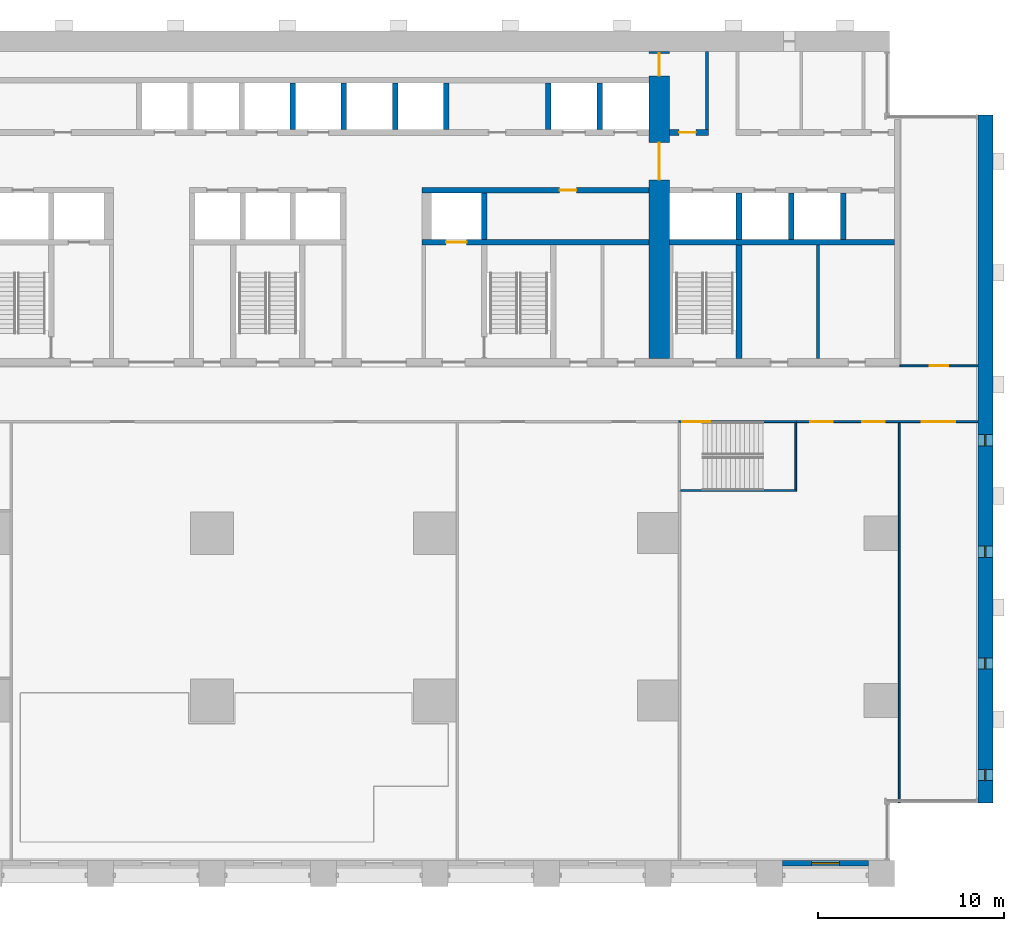
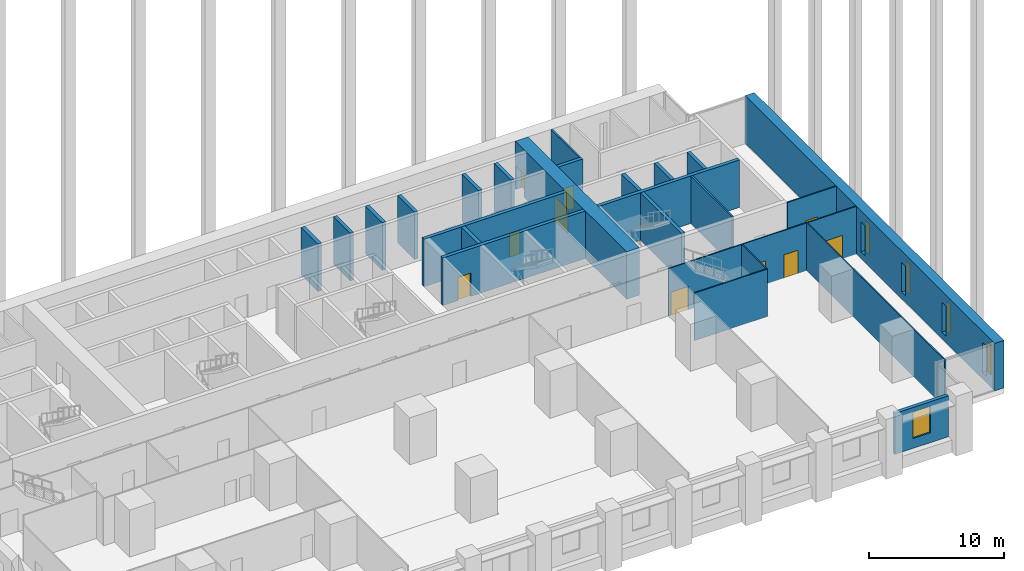
# One storey, part 12 of 17: 26 walls, 10 doors, 5 windows, 15 openings.
"""IFC4 building model written with IfcOpenShell, lengths in metres."""

from ifc_helpers import new_model, si_unit, direction, frame, frame_2d, origin, place, context, subcontext, project, spatial, rectangle, extrude, material, layer, layer_set, type_object, element, fill, save


model = new_model("IFC4")

# Units and contexts
model_context = context("Model", 3, precision=1e-05, world=origin(), true_north=direction((0.0, 1.0)))
body_context = subcontext(model_context, "Body", "Model", "MODEL_VIEW")
ifc_project = project(units=[si_unit("LENGTHUNIT", "METRE"), si_unit("AREAUNIT", "SQUARE_METRE"), si_unit("VOLUMEUNIT", "CUBIC_METRE"), si_unit("PLANEANGLEUNIT", "RADIAN"), si_unit("MASSUNIT", "GRAM", prefix="KILO")], contexts=[model_context])

# Site, building, storey
site_placement = place(None, origin())
site = spatial("IfcSite", under=ifc_project, at=site_placement, CompositionType="ELEMENT")
building_placement = place(site_placement, origin())
building = spatial("IfcBuilding", under=site, at=building_placement, Name="Calvaro Tower", CompositionType="ELEMENT")
storey_placement = place(building_placement, frame((0.0, 0.0, 6.5)))
storey = spatial("IfcBuildingStorey", under=building, at=storey_placement, Name="L01", CompositionType="ELEMENT", Elevation=6.5)

# Walls
ifc_material_1 = material(Name="Blockwork partition", Category="masonry")
ifc_layer_1 = layer(ifc_material_1, 0.14990234375)
ifc_layer_set_1 = layer_set([ifc_layer_1], Name="Blockwork partition")
wall_type_1 = type_object("IfcWallType", Name="Core partition 150 EI 60", PredefinedType="PARTITIONING", material=ifc_layer_set_1)
wall_1_placement = place(storey_placement, frame((68.60009765625, 28.39990234375, 0.0), z_axis=(0.0, 0.0, 1.0), x_axis=(0.0, 1.0, 0.0)))
element("IfcWall", 1, at=wall_1_placement, inside=storey, type_object=wall_type_1, Name="Core partition", PredefinedType="PARTITIONING", context=body_context, shape_type="SweptSolid", body=[
    extrude(rectangle(XDim=6.10009765625, YDim=0.14990234375, at=frame_2d((3.050048828125, 0.0))), origin(), (0.0, 0.0, 1.0), 4.300048828125),
])
ifc_material_2 = material(Name="Blockwork partition", Category="masonry")
ifc_layer_2 = layer(ifc_material_2, 0.14990234375)
ifc_layer_set_2 = layer_set([ifc_layer_2], Name="Blockwork partition")
wall_type_2 = type_object("IfcWallType", Name="Core partition 150 REI 120", PredefinedType="PARTITIONING", material=ifc_layer_set_2)
wall_2_placement = place(storey_placement, frame((62.625, 40.699951171875, 0.0), z_axis=(0.0, 0.0, 1.0), x_axis=(0.0, 1.0, 0.0)))
element("IfcWall", 2, at=wall_2_placement, inside=storey, type_object=wall_type_2, Name="Core partition", PredefinedType="PARTITIONING", context=body_context, shape_type="SweptSolid", body=[
    extrude(rectangle(XDim=4.199951171875, YDim=0.14990234375, at=frame_2d((2.10009765625, 0.0))), origin(), (0.0, 0.0, 1.0), 4.300048828125),
])

# Wall, opening, door
ifc_material_3 = material(Name="Blockwork partition", Category="masonry")
ifc_layer_3 = layer(ifc_material_3, 0.300048828125)
ifc_layer_set_3 = layer_set([ifc_layer_3], Name="Blockwork partition")
wall_type_3 = type_object("IfcWallType", Name="Core partition 300 REI 120", PredefinedType="PARTITIONING", material=ifc_layer_set_3)
wall_3_placement = place(storey_placement, frame((60.60009765625, 40.550048828125, 0.0), z_axis=(0.0, 0.0, 1.0), x_axis=(1.0, 0.0, 0.0)))
wall_3 = element("IfcWall", 3, at=wall_3_placement, inside=storey, type_object=wall_type_3, Name="Core partition", PredefinedType="PARTITIONING", context=body_context, shape_type="SweptSolid", body=[
    extrude(rectangle(XDim=2.099853515625, YDim=0.300048828125, at=frame_2d((1.0498046875, 0.0))), origin(), (0.0, 0.0, 1.0), 4.300048828125),
])
opening_1_placement = place(wall_3_placement, frame((0.52490234375, 0.0, 0.0)))
opening_1 = element("IfcOpeningElement", 4, at=opening_1_placement, cuts=wall_3, Name="Opening RD9E", PredefinedType="OPENING", context=body_context, shape_type="SweptSolid", body=[
    extrude(rectangle(XDim=0.89990234375, YDim=2.10009765625, at=frame_2d((0.449951171875, 1.050048828125))), frame((0.0, 0.159912109375, 0.0), z_axis=(0.0, -1.0, 0.0), x_axis=(1.0, 0.0, 0.0)), (0.0, 0.0, 1.0), 0.320068359375),
])
ifc_material_4 = material(Name="Steel door set", Category="steel")
door_type_1 = type_object("IfcDoorType", Name="Room door 900 FD60", OperationType="SINGLE_SWING_LEFT", PredefinedType="DOOR", material=ifc_material_4)
door_1_placement = place(opening_1_placement, origin())
door_1 = element("IfcDoor", 5, at=door_1_placement, inside=storey, type_object=door_type_1, Name="Room door", OperationType="SINGLE_SWING_RIGHT", OverallHeight=2.10009765625, OverallWidth=0.89990234375, PredefinedType="DOOR", context=body_context, shape_type="SweptSolid", body=[
    extrude(rectangle(XDim=0.89990234375, YDim=2.10009765625, at=frame_2d((0.449951171875, 1.050048828125))), frame((0.0, 0.02490234375, 0.0), z_axis=(0.0, -1.0, 0.0), x_axis=(1.0, 0.0, 0.0)), (0.0, 0.0, 1.0), 0.050048828125),
])
fill(opening_1, door_1)

# Wall, openings, doors
ifc_material_5 = material(Name="Concrete C80/95", Category="concrete")
ifc_layer_4 = layer(ifc_material_5, 1.10009765625)
ifc_layer_set_4 = layer_set([ifc_layer_4], Name="Concrete C80/95")
wall_type_4 = type_object("IfcWallType", Name="Core wall C80/95 1100", PredefinedType="SHEAR", material=ifc_layer_set_4)
wall_4_placement = place(storey_placement, frame((60.050048828125, 28.39990234375, 0.0), z_axis=(0.0, 0.0, 1.0), x_axis=(0.0, 1.0, 0.0)))
wall_4 = element("IfcWall", 6, at=wall_4_placement, inside=storey, type_object=wall_type_4, Name="Core wall, cross shear wall", PredefinedType="SHEAR", context=body_context, shape_type="SweptSolid", body=[
    extrude(rectangle(XDim=16.5, YDim=1.10009765625, at=frame_2d((8.25, 0.0))), origin(), (0.0, 0.0, 1.0), 4.300048828125),
])
opening_2_placement = place(wall_4_placement, frame((9.60009765625, 0.0, 0.0)))
opening_2 = element("IfcOpeningElement", 7, at=opening_2_placement, cuts=wall_4, Name="Opening DD20D", PredefinedType="OPENING", context=body_context, shape_type="SweptSolid", body=[
    extrude(rectangle(XDim=2.0, YDim=2.10009765625, at=frame_2d((1.0, 1.050048828125))), frame((0.0, 0.56005859375, 0.0), z_axis=(0.0, -1.0, 0.0), x_axis=(1.0, 0.0, 0.0)), (0.0, 0.0, 1.0), 1.1201171875),
])
opening_3_placement = place(wall_4_placement, frame((15.199951171875, 0.0, 0.0)))
opening_3 = element("IfcOpeningElement", 8, at=opening_3_placement, cuts=wall_4, Name="Opening FD12C", PredefinedType="OPENING", context=body_context, shape_type="SweptSolid", body=[
    extrude(rectangle(XDim=1.199951171875, YDim=2.10009765625, at=frame_2d((0.60009765625, 1.050048828125))), frame((0.0, 0.56005859375, 0.0), z_axis=(0.0, -1.0, 0.0), x_axis=(1.0, 0.0, 0.0)), (0.0, 0.0, 1.0), 1.1201171875),
])
ifc_material_6 = material(Name="Steel door set", Category="steel")
door_type_2 = type_object("IfcDoorType", Name="Fire door 1200 FD30", OperationType="SINGLE_SWING_LEFT", PredefinedType="DOOR", material=ifc_material_6)
door_2_placement = place(opening_3_placement, origin())
door_2 = element("IfcDoor", 9, at=door_2_placement, inside=storey, type_object=door_type_2, Name="Fire door", OperationType="SINGLE_SWING_RIGHT", OverallHeight=2.10009765625, OverallWidth=1.199951171875, PredefinedType="DOOR", context=body_context, shape_type="SweptSolid", body=[
    extrude(rectangle(XDim=1.199951171875, YDim=2.10009765625, at=frame_2d((0.60009765625, 1.050048828125))), frame((0.0, 0.02490234375, 0.0), z_axis=(0.0, -1.0, 0.0), x_axis=(1.0, 0.0, 0.0)), (0.0, 0.0, 1.0), 0.050048828125),
])
fill(opening_3, door_2)
ifc_material_7 = material(Name="Steel door set", Category="steel")
door_type_3 = type_object("IfcDoorType", Name="Lobby double door 2000 FD30S", OperationType="DOUBLE_DOOR_SINGLE_SWING", PredefinedType="DOOR", material=ifc_material_7)
door_3_placement = place(opening_2_placement, origin())
door_3 = element("IfcDoor", 10, at=door_3_placement, inside=storey, type_object=door_type_3, Name="Lobby double door", OperationType="DOUBLE_DOOR_SINGLE_SWING", OverallHeight=2.10009765625, OverallWidth=2.0, PredefinedType="DOOR", context=body_context, shape_type="SweptSolid", body=[
    extrude(rectangle(XDim=2.0, YDim=2.10009765625, at=frame_2d((1.0, 1.050048828125))), frame((0.0, 0.02490234375, 0.0), z_axis=(0.0, -1.0, 0.0), x_axis=(1.0, 0.0, 0.0)), (0.0, 0.0, 1.0), 0.050048828125),
])
fill(opening_2, door_3)

# Walls
ifc_material_8 = material(Name="Concrete C80/95", Category="concrete")
ifc_layer_5 = layer(ifc_material_8, 0.300048828125)
ifc_layer_set_5 = layer_set([ifc_layer_5], Name="Concrete C80/95")
wall_type_5 = type_object("IfcWallType", Name="Core wall C80/95 300", PredefinedType="SHEAR", material=ifc_layer_set_5)
wall_5_placement = place(storey_placement, frame((64.35009765625, 34.800048828125, 0.0), z_axis=(0.0, 0.0, 1.0), x_axis=(0.0, 1.0, 0.0)))
element("IfcWall", 11, at=wall_5_placement, inside=storey, type_object=wall_type_5, Name="Core wall, lift shaft", PredefinedType="SHEAR", context=body_context, shape_type="SweptSolid", body=[
    extrude(rectangle(XDim=2.5, YDim=0.300048828125, at=frame_2d((1.25, 0.0))), origin(), (0.0, 0.0, 1.0), 4.300048828125),
])
wall_6_placement = place(storey_placement, frame((64.35009765625, 28.39990234375, 0.0), z_axis=(0.0, 0.0, 1.0), x_axis=(0.0, 1.0, 0.0)))
element("IfcWall", 12, at=wall_6_placement, inside=storey, type_object=wall_type_5, Name="Core wall, stair enclosure", PredefinedType="SHEAR", context=body_context, shape_type="SweptSolid", body=[
    extrude(rectangle(XDim=6.10009765625, YDim=0.300048828125, at=frame_2d((3.050048828125, 0.0))), origin(), (0.0, 0.0, 1.0), 4.300048828125),
])

# Wall, opening, door
wall_7_placement = place(storey_placement, frame((47.300048828125, 34.64990234375, 0.0), z_axis=(0.0, 0.0, 1.0), x_axis=(1.0, 0.0, 0.0)))
wall_7 = element("IfcWall", 13, at=wall_7_placement, inside=storey, type_object=wall_type_5, Name="Core wall, lift shaft", PredefinedType="SHEAR", context=body_context, shape_type="SweptSolid", body=[
    extrude(rectangle(XDim=12.199951171875, YDim=0.300048828125, at=frame_2d((6.10009765625, 0.0))), origin(), (0.0, 0.0, 1.0), 4.300048828125),
])
opening_4_placement = place(wall_7_placement, frame((1.300048828125, 0.0, 0.0)))
opening_4 = element("IfcOpeningElement", 14, at=opening_4_placement, cuts=wall_7, Name="Opening FF2", PredefinedType="OPENING", context=body_context, shape_type="SweptSolid", body=[
    extrude(rectangle(XDim=1.10009765625, YDim=2.10009765625, at=frame_2d((0.550048828125, 1.050048828125))), frame((0.0, 0.159912109375, 0.0), z_axis=(0.0, -1.0, 0.0), x_axis=(1.0, 0.0, 0.0)), (0.0, 0.0, 1.0), 0.320068359375),
])
ifc_material_9 = material(Name="Stainless steel", Category="steel")
door_type_4 = type_object("IfcDoorType", Name="Landing door 1100 E 60", OperationType="SLIDING_TO_LEFT", PredefinedType="DOOR", material=ifc_material_9)
door_4_placement = place(opening_4_placement, origin())
door_4 = element("IfcDoor", 15, at=door_4_placement, inside=storey, type_object=door_type_4, Name="Landing door FF2", OperationType="SLIDING_TO_LEFT", OverallHeight=2.10009765625, OverallWidth=1.10009765625, PredefinedType="DOOR", context=body_context, shape_type="SweptSolid", body=[
    extrude(rectangle(XDim=1.10009765625, YDim=2.10009765625, at=frame_2d((0.550048828125, 1.050048828125))), frame((0.0, 0.02490234375, 0.0), z_axis=(0.0, -1.0, 0.0), x_axis=(1.0, 0.0, 0.0)), (0.0, 0.0, 1.0), 0.050048828125),
])
fill(opening_4, door_4)

# Wall
wall_8_placement = place(storey_placement, frame((60.60009765625, 34.64990234375, 0.0), z_axis=(0.0, 0.0, 1.0), x_axis=(1.0, 0.0, 0.0)))
element("IfcWall", 16, at=wall_8_placement, inside=storey, type_object=wall_type_5, Name="Core wall, lift shaft", PredefinedType="SHEAR", context=body_context, shape_type="SweptSolid", body=[
    extrude(rectangle(XDim=12.099853515625, YDim=0.300048828125, at=frame_2d((6.0498046875, 0.0))), origin(), (0.0, 0.0, 1.0), 4.300048828125),
])

# Wall, opening, door
wall_9_placement = place(storey_placement, frame((59.5, 37.449951171875, 0.0), z_axis=(0.0, 0.0, 1.0), x_axis=(-1.0, 0.0, 0.0)))
wall_9 = element("IfcWall", 17, at=wall_9_placement, inside=storey, type_object=wall_type_5, Name="Core wall, bay", PredefinedType="SHEAR", context=body_context, shape_type="SweptSolid", body=[
    extrude(rectangle(XDim=12.199951171875, YDim=0.300048828125, at=frame_2d((6.10009765625, 0.0))), origin(), (0.0, 0.0, 1.0), 4.300048828125),
])
opening_5_placement = place(wall_9_placement, frame((3.89990234375, 0.0, 0.0)))
opening_5 = element("IfcOpeningElement", 18, at=opening_5_placement, cuts=wall_9, Name="Opening RD9E", PredefinedType="OPENING", context=body_context, shape_type="SweptSolid", body=[
    extrude(rectangle(XDim=0.89990234375, YDim=2.10009765625, at=frame_2d((0.449951171875, 1.050048828125))), frame((0.0, 0.159912109375, 0.0), z_axis=(0.0, -1.0, 0.0), x_axis=(1.0, 0.0, 0.0)), (0.0, 0.0, 1.0), 0.320068359375),
])
door_5_placement = place(opening_5_placement, origin())
door_5 = element("IfcDoor", 19, at=door_5_placement, inside=storey, type_object=door_type_1, Name="Room door", OperationType="SINGLE_SWING_RIGHT", OverallHeight=2.10009765625, OverallWidth=0.89990234375, PredefinedType="DOOR", context=body_context, shape_type="SweptSolid", body=[
    extrude(rectangle(XDim=0.89990234375, YDim=2.10009765625, at=frame_2d((0.449951171875, 1.050048828125))), frame((0.0, 0.02490234375, 0.0), z_axis=(0.0, -1.0, 0.0), x_axis=(1.0, 0.0, 0.0)), (0.0, 0.0, 1.0), 0.050048828125),
])
fill(opening_5, door_5)

# Walls
for number, where, z_axis, x_axis, name in (
    (20, (50.64990234375, 34.800048828125, 0.0), (0.0, 0.0, 1.0), (0.0, 1.0, 0.0), "Core wall, lift shaft"),
    (21, (40.35009765625, 40.699951171875, 0.0), (0.0, 0.0, 1.0), (0.0, 1.0, 0.0), "Core wall, lift shaft"),
    (22, (43.10009765625, 40.699951171875, 0.0), (0.0, 0.0, 1.0), (0.0, 1.0, 0.0), "Core wall, lift shaft"),
    (23, (45.85009765625, 40.699951171875, 0.0), (0.0, 0.0, 1.0), (0.0, 1.0, 0.0), "Core wall, lift shaft"),
    (24, (48.60009765625, 40.699951171875, 0.0), (0.0, 0.0, 1.0), (0.0, 1.0, 0.0), "Core wall, lift shaft"),
    (25, (54.10009765625, 40.699951171875, 0.0), (0.0, 0.0, 1.0), (0.0, 1.0, 0.0), "Core wall, lift shaft"),
    (26, (56.85009765625, 40.699951171875, 0.0), (0.0, 0.0, 1.0), (0.0, 1.0, 0.0), "Core wall, lift shaft"),
    (27, (67.14990234375, 34.800048828125, 0.0), (0.0, 0.0, 1.0), (0.0, 1.0, 0.0), "Core wall, lift shaft"),
    (28, (69.949951171875, 34.800048828125, 0.0), (0.0, 0.0, 1.0), (0.0, 1.0, 0.0), "Core wall, lift shaft"),
):
    element("IfcWall", number, at=place(storey_placement, frame(where, z_axis=z_axis, x_axis=x_axis)), inside=storey, type_object=wall_type_5, Name=name, PredefinedType="SHEAR", context=body_context, shape_type="SweptSolid", body=[
        extrude(rectangle(XDim=2.5, YDim=0.300048828125, at=frame_2d((1.25, 0.0))), origin(), (0.0, 0.0, 1.0), 4.300048828125),
    ])

# Wall, openings, windows
ifc_material_10 = material(Name="Concrete C80/95", Category="concrete")
ifc_layer_6 = layer(ifc_material_10, 0.800048828125)
ifc_layer_set_6 = layer_set([ifc_layer_6], Name="Concrete C80/95")
wall_type_6 = type_object("IfcWallType", Name="End wall 800 C80/95", PredefinedType="SHEAR", material=ifc_layer_set_6)
wall_10_placement = place(storey_placement, frame((77.60009765625, 4.5, 0.0), z_axis=(0.0, 0.0, 1.0), x_axis=(0.0, 1.0, 0.0)))
wall_10 = element("IfcWall", 29, at=wall_10_placement, inside=storey, type_object=wall_type_6, Name="End shear wall", PredefinedType="SHEAR", context=body_context, shape_type="SweptSolid", body=[
    extrude(rectangle(XDim=37.0, YDim=0.800048828125, at=frame_2d((18.5, 0.0))), origin(), (0.0, 0.0, 1.0), 4.300048828125),
])
opening_6_placement = place(wall_10_placement, frame((1.199951171875, 0.0, 0.60009765625)))
opening_6 = element("IfcOpeningElement", 30, at=opening_6_placement, cuts=wall_10, Name="Opening WE01", PredefinedType="OPENING", context=body_context, shape_type="SweptSolid", body=[
    extrude(rectangle(XDim=0.60009765625, YDim=2.699951171875, at=frame_2d((0.300048828125, 1.35009765625))), frame((0.0, 0.409912109375, 0.0), z_axis=(0.0, -1.0, 0.0), x_axis=(1.0, 0.0, 0.0)), (0.0, 0.0, 1.0), 0.820068359375),
])
opening_7_placement = place(wall_10_placement, frame((7.199951171875, 0.0, 0.60009765625)))
opening_7 = element("IfcOpeningElement", 31, at=opening_7_placement, cuts=wall_10, Name="Opening WE02", PredefinedType="OPENING", context=body_context, shape_type="SweptSolid", body=[
    extrude(rectangle(XDim=0.60009765625, YDim=2.699951171875, at=frame_2d((0.300048828125, 1.35009765625))), frame((0.0, 0.409912109375, 0.0), z_axis=(0.0, -1.0, 0.0), x_axis=(1.0, 0.0, 0.0)), (0.0, 0.0, 1.0), 0.820068359375),
])
opening_8_placement = place(wall_10_placement, frame((13.199951171875, 0.0, 0.60009765625)))
opening_8 = element("IfcOpeningElement", 32, at=opening_8_placement, cuts=wall_10, Name="Opening WE03", PredefinedType="OPENING", context=body_context, shape_type="SweptSolid", body=[
    extrude(rectangle(XDim=0.60009765625, YDim=2.699951171875, at=frame_2d((0.300048828125, 1.35009765625))), frame((0.0, 0.409912109375, 0.0), z_axis=(0.0, -1.0, 0.0), x_axis=(1.0, 0.0, 0.0)), (0.0, 0.0, 1.0), 0.820068359375),
])
opening_9_placement = place(wall_10_placement, frame((19.199951171875, 0.0, 0.60009765625)))
opening_9 = element("IfcOpeningElement", 33, at=opening_9_placement, cuts=wall_10, Name="Opening WE04", PredefinedType="OPENING", context=body_context, shape_type="SweptSolid", body=[
    extrude(rectangle(XDim=0.60009765625, YDim=2.699951171875, at=frame_2d((0.300048828125, 1.35009765625))), frame((0.0, 0.409912109375, 0.0), z_axis=(0.0, -1.0, 0.0), x_axis=(1.0, 0.0, 0.0)), (0.0, 0.0, 1.0), 0.820068359375),
])
ifc_material_11 = material(Name="Glass", Category="glass")
window_type_1 = type_object("IfcWindowType", Name="Slit window 600 x 2700", PartitioningType="SINGLE_PANEL", PredefinedType="WINDOW", material=ifc_material_11)
window_1_placement = place(opening_6_placement, origin())
window_1 = element("IfcWindow", 34, at=window_1_placement, inside=storey, type_object=window_type_1, Name="Window WE01", OverallHeight=2.699951171875, OverallWidth=0.60009765625, PartitioningType="SINGLE_PANEL", PredefinedType="WINDOW", context=body_context, shape_type="SweptSolid", body=[
    extrude(rectangle(XDim=0.60009765625, YDim=2.699951171875, at=frame_2d((0.300048828125, 1.35009765625))), frame((0.0, 0.030029296875, 0.0), z_axis=(0.0, -1.0, 0.0), x_axis=(1.0, 0.0, 0.0)), (0.0, 0.0, 1.0), 0.06005859375),
])
fill(opening_6, window_1)
window_2_placement = place(opening_7_placement, origin())
window_2 = element("IfcWindow", 35, at=window_2_placement, inside=storey, type_object=window_type_1, Name="Window WE02", OverallHeight=2.699951171875, OverallWidth=0.60009765625, PartitioningType="SINGLE_PANEL", PredefinedType="WINDOW", context=body_context, shape_type="SweptSolid", body=[
    extrude(rectangle(XDim=0.60009765625, YDim=2.699951171875, at=frame_2d((0.300048828125, 1.35009765625))), frame((0.0, 0.030029296875, 0.0), z_axis=(0.0, -1.0, 0.0), x_axis=(1.0, 0.0, 0.0)), (0.0, 0.0, 1.0), 0.06005859375),
])
fill(opening_7, window_2)
window_3_placement = place(opening_8_placement, origin())
window_3 = element("IfcWindow", 36, at=window_3_placement, inside=storey, type_object=window_type_1, Name="Window WE03", OverallHeight=2.699951171875, OverallWidth=0.60009765625, PartitioningType="SINGLE_PANEL", PredefinedType="WINDOW", context=body_context, shape_type="SweptSolid", body=[
    extrude(rectangle(XDim=0.60009765625, YDim=2.699951171875, at=frame_2d((0.300048828125, 1.35009765625))), frame((0.0, 0.030029296875, 0.0), z_axis=(0.0, -1.0, 0.0), x_axis=(1.0, 0.0, 0.0)), (0.0, 0.0, 1.0), 0.06005859375),
])
fill(opening_8, window_3)
window_4_placement = place(opening_9_placement, origin())
window_4 = element("IfcWindow", 37, at=window_4_placement, inside=storey, type_object=window_type_1, Name="Window WE04", OverallHeight=2.699951171875, OverallWidth=0.60009765625, PartitioningType="SINGLE_PANEL", PredefinedType="WINDOW", context=body_context, shape_type="SweptSolid", body=[
    extrude(rectangle(XDim=0.60009765625, YDim=2.699951171875, at=frame_2d((0.300048828125, 1.35009765625))), frame((0.0, 0.030029296875, 0.0), z_axis=(0.0, -1.0, 0.0), x_axis=(1.0, 0.0, 0.0)), (0.0, 0.0, 1.0), 0.06005859375),
])
fill(opening_9, window_4)

# Wall, openings, doors
ifc_material_12 = material(Name="Plasterboard on steel studs", Category="steel")
ifc_layer_7 = layer(ifc_material_12, 0.10009765625)
ifc_layer_set_7 = layer_set([ifc_layer_7], Name="Plasterboard on steel studs")
wall_type_7 = type_object("IfcWallType", Name="Partition 100", PredefinedType="PARTITIONING", material=ifc_layer_set_7)
wall_11_placement = place(storey_placement, frame((67.43994140625, 25.0, 0.0), z_axis=(0.0, 0.0, 1.0), x_axis=(1.0, 0.0, 0.0)))
wall_11 = element("IfcWall", 38, at=wall_11_placement, inside=storey, type_object=wall_type_7, Name="Partition T04.W008", PredefinedType="PARTITIONING", context=body_context, shape_type="SweptSolid", body=[
    extrude(rectangle(XDim=9.760009765625, YDim=0.10009765625, at=frame_2d((4.8798828125, 0.0))), origin(), (0.0, 0.0, 1.0), 4.300048828125),
])
opening_10_placement = place(wall_11_placement, frame((0.75244140625, 0.0, 0.0)))
opening_10 = element("IfcOpeningElement", 39, at=opening_10_placement, cuts=wall_11, Name="Opening T04.004", PredefinedType="OPENING", context=body_context, shape_type="SweptSolid", body=[
    extrude(rectangle(XDim=1.199951171875, YDim=2.10009765625, at=frame_2d((0.60009765625, 1.050048828125))), frame((0.0, 0.06005859375, 0.0), z_axis=(0.0, -1.0, 0.0), x_axis=(1.0, 0.0, 0.0)), (0.0, 0.0, 1.0), 0.1201171875),
])
opening_11_placement = place(wall_11_placement, frame((3.53759765625, 0.0, 0.0)))
opening_11 = element("IfcOpeningElement", 40, at=opening_11_placement, cuts=wall_11, Name="Opening T04.005", PredefinedType="OPENING", context=body_context, shape_type="SweptSolid", body=[
    extrude(rectangle(XDim=1.199951171875, YDim=2.10009765625, at=frame_2d((0.60009765625, 1.050048828125))), frame((0.0, 0.06005859375, 0.0), z_axis=(0.0, -1.0, 0.0), x_axis=(1.0, 0.0, 0.0)), (0.0, 0.0, 1.0), 0.1201171875),
])
opening_12_placement = place(wall_11_placement, frame((6.7451171875, 0.0, 0.0)))
opening_12 = element("IfcOpeningElement", 41, at=opening_12_placement, cuts=wall_11, Name="Opening T04.010", PredefinedType="OPENING", context=body_context, shape_type="SweptSolid", body=[
    extrude(rectangle(XDim=1.800048828125, YDim=2.10009765625, at=frame_2d((0.89990234375, 1.050048828125))), frame((0.0, 0.06005859375, 0.0), z_axis=(0.0, -1.0, 0.0), x_axis=(1.0, 0.0, 0.0)), (0.0, 0.0, 1.0), 0.1201171875),
])
ifc_material_13 = material(Name="Timber", Category="wood")
door_type_5 = type_object("IfcDoorType", Name="Internal double door 1800 x 2100", OperationType="DOUBLE_DOOR_SINGLE_SWING", PredefinedType="DOOR", material=ifc_material_13)
door_6_placement = place(opening_12_placement, origin())
door_6 = element("IfcDoor", 42, at=door_6_placement, inside=storey, type_object=door_type_5, Name="Door T04.010", OperationType="DOUBLE_DOOR_SINGLE_SWING", OverallHeight=2.10009765625, OverallWidth=1.800048828125, PredefinedType="DOOR", context=body_context, shape_type="SweptSolid", body=[
    extrude(rectangle(XDim=1.800048828125, YDim=2.10009765625, at=frame_2d((0.89990234375, 1.050048828125))), frame((0.0, 0.02490234375, 0.0), z_axis=(0.0, -1.0, 0.0), x_axis=(1.0, 0.0, 0.0)), (0.0, 0.0, 1.0), 0.050048828125),
])
fill(opening_12, door_6)
ifc_material_14 = material(Name="Timber", Category="wood")
door_type_6 = type_object("IfcDoorType", Name="Internal single door 1200 x 2100", OperationType="SINGLE_SWING_LEFT", PredefinedType="DOOR", material=ifc_material_14)
door_7_placement = place(opening_10_placement, origin())
door_7 = element("IfcDoor", 43, at=door_7_placement, inside=storey, type_object=door_type_6, Name="Door T04.004", OperationType="SINGLE_SWING_LEFT", OverallHeight=2.10009765625, OverallWidth=1.199951171875, PredefinedType="DOOR", context=body_context, shape_type="SweptSolid", body=[
    extrude(rectangle(XDim=1.199951171875, YDim=2.10009765625, at=frame_2d((0.60009765625, 1.050048828125))), frame((0.0, 0.02490234375, 0.0), z_axis=(0.0, -1.0, 0.0), x_axis=(1.0, 0.0, 0.0)), (0.0, 0.0, 1.0), 0.050048828125),
])
fill(opening_10, door_7)
door_8_placement = place(opening_11_placement, origin())
door_8 = element("IfcDoor", 44, at=door_8_placement, inside=storey, type_object=door_type_6, Name="Door T04.005", OperationType="SINGLE_SWING_LEFT", OverallHeight=2.10009765625, OverallWidth=1.199951171875, PredefinedType="DOOR", context=body_context, shape_type="SweptSolid", body=[
    extrude(rectangle(XDim=1.199951171875, YDim=2.10009765625, at=frame_2d((0.60009765625, 1.050048828125))), frame((0.0, 0.02490234375, 0.0), z_axis=(0.0, -1.0, 0.0), x_axis=(1.0, 0.0, 0.0)), (0.0, 0.0, 1.0), 0.050048828125),
])
fill(opening_11, door_8)

# Wall
wall_12_placement = place(storey_placement, frame((72.969970703125, 4.5, 0.0), z_axis=(0.0, 0.0, 1.0), x_axis=(0.0, 1.0, 0.0)))
element("IfcWall", 45, at=wall_12_placement, inside=storey, type_object=wall_type_7, Name="Partition T04.W021", PredefinedType="PARTITIONING", context=body_context, shape_type="SweptSolid", body=[
    extrude(rectangle(XDim=20.449951171875, YDim=0.10009765625, at=frame_2d((10.22509765625, 0.0))), origin(), (0.0, 0.0, 1.0), 4.300048828125),
])

# Wall, opening, door
ifc_material_15 = material(Name="Plasterboard on steel studs", Category="steel")
ifc_layer_8 = layer(ifc_material_15, 0.10009765625)
ifc_layer_set_8 = layer_set([ifc_layer_8], Name="Plasterboard on steel studs")
wall_type_8 = type_object("IfcWallType", Name="Partition 100 REI 120", PredefinedType="PARTITIONING", material=ifc_layer_set_8)
wall_13_placement = place(storey_placement, frame((73.0, 28.0, 0.0), z_axis=(0.0, 0.0, 1.0), x_axis=(1.0, 0.0, 0.0)))
wall_13 = element("IfcWall", 46, at=wall_13_placement, inside=storey, type_object=wall_type_8, Name="Partition T04.W010", PredefinedType="PARTITIONING", context=body_context, shape_type="SweptSolid", body=[
    extrude(rectangle(XDim=4.199951171875, YDim=0.10009765625, at=frame_2d((2.10009765625, 0.0))), origin(), (0.0, 0.0, 1.0), 4.300048828125),
])
opening_13_placement = place(wall_13_placement, frame((1.60009765625, 0.0, 0.0)))
opening_13 = element("IfcOpeningElement", 47, at=opening_13_placement, cuts=wall_13, Name="Opening T04.021", PredefinedType="OPENING", context=body_context, shape_type="SweptSolid", body=[
    extrude(rectangle(XDim=1.0, YDim=2.10009765625, at=frame_2d((0.5, 1.050048828125))), frame((0.0, 0.06005859375, 0.0), z_axis=(0.0, -1.0, 0.0), x_axis=(1.0, 0.0, 0.0)), (0.0, 0.0, 1.0), 0.1201171875),
])
ifc_material_16 = material(Name="Timber", Category="wood")
door_type_7 = type_object("IfcDoorType", Name="Internal single door 1000 x 2100 FD60", OperationType="SINGLE_SWING_LEFT", PredefinedType="DOOR", material=ifc_material_16)
door_9_placement = place(opening_13_placement, origin())
door_9 = element("IfcDoor", 48, at=door_9_placement, inside=storey, type_object=door_type_7, Name="Door T04.021", OperationType="SINGLE_SWING_LEFT", OverallHeight=2.10009765625, OverallWidth=1.0, PredefinedType="DOOR", context=body_context, shape_type="SweptSolid", body=[
    extrude(rectangle(XDim=1.0, YDim=2.10009765625, at=frame_2d((0.5, 1.050048828125))), frame((0.0, 0.02490234375, 0.0), z_axis=(0.0, -1.0, 0.0), x_axis=(1.0, 0.0, 0.0)), (0.0, 0.0, 1.0), 0.050048828125),
])
fill(opening_13, door_9)

# Wall
ifc_material_17 = material(Name="Concrete C40/50", Category="concrete")
ifc_layer_9 = layer(ifc_material_17, 0.10009765625)
ifc_layer_set_9 = layer_set([ifc_layer_9], Name="Concrete C40/50")
wall_type_9 = type_object("IfcWallType", Name="Stair enclosure wall 100", PredefinedType="SOLIDWALL", material=ifc_layer_set_9)
wall_14_placement = place(storey_placement, frame((61.199951171875, 21.300048828125, 0.0), z_axis=(0.0, 0.0, 1.0), x_axis=(1.0, 0.0, 0.0)))
element("IfcWall", 49, at=wall_14_placement, inside=storey, type_object=wall_type_9, Name="Stair enclosure wall T04.W004", PredefinedType="SOLIDWALL", context=body_context, shape_type="SweptSolid", body=[
    extrude(rectangle(XDim=6.25, YDim=0.10009765625, at=frame_2d((3.125, 0.0))), origin(), (0.0, 0.0, 1.0), 4.300048828125),
])

# Wall, opening, door
wall_15_placement = place(storey_placement, frame((61.110107421875, 25.0, 0.0), z_axis=(0.0, 0.0, 1.0), x_axis=(1.0, 0.0, 0.0)))
wall_15 = element("IfcWall", 50, at=wall_15_placement, inside=storey, type_object=wall_type_9, Name="Stair enclosure wall T04.W007", PredefinedType="SOLIDWALL", context=body_context, shape_type="SweptSolid", body=[
    extrude(rectangle(XDim=6.329833984375, YDim=0.10009765625, at=frame_2d((3.1650390625, 0.0))), origin(), (0.0, 0.0, 1.0), 4.300048828125),
])
opening_14_placement = place(wall_15_placement, frame((0.18994140625, 0.0, 0.0)))
opening_14 = element("IfcOpeningElement", 51, at=opening_14_placement, cuts=wall_15, Name="Opening T04.020", PredefinedType="OPENING", context=body_context, shape_type="SweptSolid", body=[
    extrude(rectangle(XDim=1.5, YDim=2.10009765625, at=frame_2d((0.75, 1.050048828125))), frame((0.0, 0.06005859375, 0.0), z_axis=(0.0, -1.0, 0.0), x_axis=(1.0, 0.0, 0.0)), (0.0, 0.0, 1.0), 0.1201171875),
])
ifc_material_18 = material(Name="Timber", Category="wood")
door_type_8 = type_object("IfcDoorType", Name="Internal double door 1500 x 2100 FD30S", OperationType="DOUBLE_DOOR_SINGLE_SWING", PredefinedType="DOOR", material=ifc_material_18)
door_10_placement = place(opening_14_placement, origin())
door_10 = element("IfcDoor", 52, at=door_10_placement, inside=storey, type_object=door_type_8, Name="Door T04.020", OperationType="DOUBLE_DOOR_SINGLE_SWING", OverallHeight=2.10009765625, OverallWidth=1.5, PredefinedType="DOOR", context=body_context, shape_type="SweptSolid", body=[
    extrude(rectangle(XDim=1.5, YDim=2.10009765625, at=frame_2d((0.75, 1.050048828125))), frame((0.0, 0.02490234375, 0.0), z_axis=(0.0, -1.0, 0.0), x_axis=(1.0, 0.0, 0.0)), (0.0, 0.0, 1.0), 0.050048828125),
])
fill(opening_14, door_10)

# Wall
wall_16_placement = place(storey_placement, frame((67.39990234375, 21.35009765625, 0.0), z_axis=(0.0, 0.0, 1.0), x_axis=(0.0, 1.0, 0.0)))
element("IfcWall", 53, at=wall_16_placement, inside=storey, type_object=wall_type_9, Name="Stair enclosure wall T04.W020", PredefinedType="SOLIDWALL", context=body_context, shape_type="SweptSolid", body=[
    extrude(rectangle(XDim=3.599853515625, YDim=0.10009765625, at=frame_2d((1.7998046875, 0.0))), origin(), (0.0, 0.0, 1.0), 4.300048828125),
])

# Wall, opening, window
ifc_material_19 = material(Name="Stone faced masonry", Category="masonry")
ifc_layer_10 = layer(ifc_material_19, 0.300048828125)
ifc_layer_set_10 = layer_set([ifc_layer_10], Name="Stone faced masonry")
wall_type_10 = type_object("IfcWallType", Name="Stone faced wall 300", PredefinedType="SOLIDWALL", material=ifc_layer_set_10)
wall_17_placement = place(storey_placement, frame((66.699951171875, 1.25, 0.0), z_axis=(0.0, 0.0, 1.0), x_axis=(1.0, 0.0, 0.0)))
wall_17 = element("IfcWall", 54, at=wall_17_placement, inside=storey, type_object=wall_type_10, Name="Stone faced wall", PredefinedType="SOLIDWALL", context=body_context, shape_type="SweptSolid", body=[
    extrude(rectangle(XDim=4.60009765625, YDim=0.300048828125, at=frame_2d((2.300048828125, 0.0))), origin(), (0.0, 0.0, 1.0), 3.699951171875),
])
opening_15_placement = place(wall_17_placement, frame((1.550048828125, 0.0, 0.89990234375)))
opening_15 = element("IfcOpeningElement", 55, at=opening_15_placement, cuts=wall_17, Name="Opening WS11", PredefinedType="OPENING", context=body_context, shape_type="SweptSolid", body=[
    extrude(rectangle(XDim=1.5, YDim=2.39990234375, at=frame_2d((0.75, 1.199951171875))), frame((0.0, 0.159912109375, 0.0), z_axis=(0.0, -1.0, 0.0), x_axis=(1.0, 0.0, 0.0)), (0.0, 0.0, 1.0), 0.320068359375),
])
ifc_material_20 = material(Name="Glass", Category="glass")
window_type_2 = type_object("IfcWindowType", Name="Podium window 1500 x 2400", PartitioningType="SINGLE_PANEL", PredefinedType="WINDOW", material=ifc_material_20)
window_5_placement = place(opening_15_placement, origin())
window_5 = element("IfcWindow", 56, at=window_5_placement, inside=storey, type_object=window_type_2, Name="Window WS11", OverallHeight=2.39990234375, OverallWidth=1.5, PartitioningType="SINGLE_PANEL", PredefinedType="WINDOW", context=body_context, shape_type="SweptSolid", body=[
    extrude(rectangle(XDim=1.5, YDim=2.39990234375, at=frame_2d((0.75, 1.199951171875))), frame((0.0, 0.030029296875, 0.0), z_axis=(0.0, -1.0, 0.0), x_axis=(1.0, 0.0, 0.0)), (0.0, 0.0, 1.0), 0.06005859375),
])
fill(opening_15, window_5)

save(model, "model.ifc")
